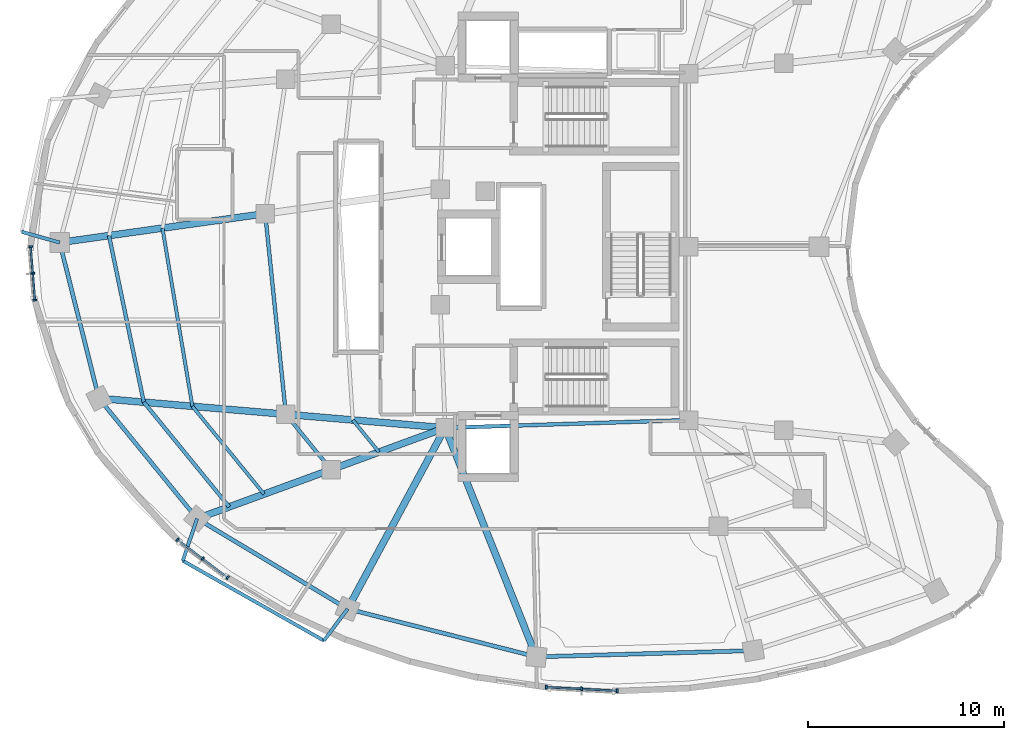
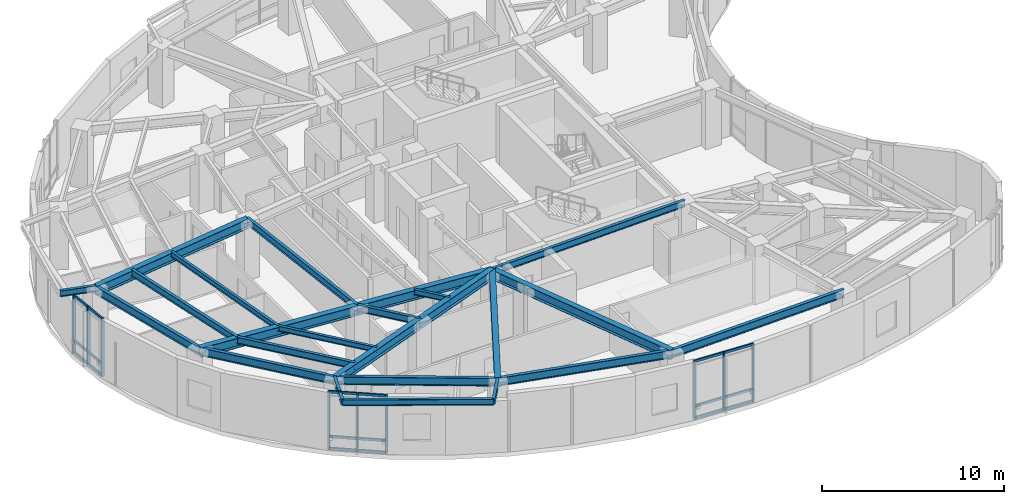
# One storey, part 2 of 15: 27 members, 24 beams, 3 elements without a shape of their own.
"""IFC4 building model written with IfcOpenShell, lengths in metres."""

from ifc_helpers import new_model, si_unit, direction, frame, origin, origin_2d, place, context, subcontext, project, spatial, rectangle, i_section, extrude, material, layer, layer_set, material_profile, profile_set, type_object, element, aggregate, save


model = new_model("IFC4")

# Units and contexts
model_context = context("Model", 3, precision=1e-05, world=origin(), true_north=direction((0.0, 1.0)))
body_context = subcontext(model_context, "Body", "Model", "MODEL_VIEW")
ifc_project = project(units=[si_unit("LENGTHUNIT", "METRE"), si_unit("AREAUNIT", "SQUARE_METRE"), si_unit("VOLUMEUNIT", "CUBIC_METRE"), si_unit("PLANEANGLEUNIT", "RADIAN"), si_unit("MASSUNIT", "GRAM", prefix="KILO")], contexts=[model_context])

# Site, building, storey
site_placement = place(None, origin())
site = spatial("IfcSite", under=ifc_project, at=site_placement, CompositionType="ELEMENT")
building_placement = place(site_placement, origin())
building = spatial("IfcBuilding", under=site, at=building_placement, Name="Korentha Bioscience Tower", CompositionType="ELEMENT")
storey_placement = place(building_placement, frame((0.0, 0.0, 218.39990234375)))
storey = spatial("IfcBuildingStorey", under=building, at=storey_placement, Name="L50", CompositionType="ELEMENT", Elevation=218.39990234375)

# Beams
ifc_material_1 = material(Name="Steel S355", Category="steel")
ifc_material_profile_1 = material_profile(ifc_material_1, i_section(OverallWidth=0.18994140625, OverallDepth=0.45703125, WebThickness=0.009033203125, FlangeThickness=0.014404296875, at=origin_2d()), Name="Steel S355")
ifc_profile_set_1 = profile_set([ifc_material_profile_1], Name="Steel S355 (MB-460)")
beam_type_1 = type_object("IfcBeamType", Name="Mid-Ring Tie Girder W460x74", PredefinedType="BEAM", material=ifc_profile_set_1)
beam_1_placement = place(storey_placement, frame((15.903076171875, 28.69482421875, 3.671630859375), z_axis=(0.102606546494, -0.994722019771, 0.0), x_axis=(0.994722019771, 0.102606546494, 0.0)))
element("IfcBeam", 1, at=beam_1_placement, inside=storey, type_object=beam_type_1, Name="L50 Mid-Ring Tie Girder 07", PredefinedType="BEAM", context=body_context, shape_type="SweptSolid", body=[
    extrude(i_section(OverallWidth=0.18994140625, OverallDepth=0.45703125, WebThickness=0.009033203125, FlangeThickness=0.014404296875, at=origin_2d()), origin(), (0.0, 0.0, 1.0), 10.30517578125),
])
beam_2_placement = place(storey_placement, frame((16.96044921875, 18.444091796875, 3.671630859375), z_axis=(0.632275728894, -0.774743443116, 0.0), x_axis=(0.774743443116, 0.632275728894, 0.0)))
element("IfcBeam", 2, at=beam_2_placement, inside=storey, type_object=beam_type_1, Name="L50 Mid-Ring Tie Girder 08", PredefinedType="BEAM", context=body_context, shape_type="SweptSolid", body=[
    extrude(i_section(OverallWidth=0.18994140625, OverallDepth=0.45703125, WebThickness=0.009033203125, FlangeThickness=0.014404296875, at=origin_2d()), origin(), (0.0, 0.0, 1.0), 3.650146484375),
])
beam_3_placement = place(storey_placement, frame((25.10009765625, 17.75, 3.671630859375), z_axis=(0.999484526071, 0.032104238723, 0.0), x_axis=(-0.032104238723, 0.999484526071, 0.0)))
element("IfcBeam", 3, at=beam_3_placement, inside=storey, type_object=beam_type_1, Name="L50 Core Ring Tie Girder 05", PredefinedType="BEAM", context=body_context, shape_type="SweptSolid", body=[
    extrude(i_section(OverallWidth=0.18994140625, OverallDepth=0.45703125, WebThickness=0.009033203125, FlangeThickness=0.014404296875, at=origin_2d()), origin(), (0.0, 0.0, 1.0), 12.456298828125),
])

# Curtain wall, members
ifc_material_2 = material(Name="Thermally Broken Aluminium Frame", Category="aluminium")
ifc_layer = layer(ifc_material_2, 0.219970703125, Name="Thermally Broken Aluminium Frame")
ifc_layer_set = layer_set([ifc_layer], Name="Thermally Broken Aluminium Frame (CW-T2)")
curtain_wall_type = type_object("IfcCurtainWallType", Name="Solar-Screened Lab Unitised Curtain Wall CW-T2", PredefinedType="USERDEFINED", material=ifc_layer_set)
curtain_wall_1_placement = place(storey_placement, origin())
curtain_wall_1 = element("IfcCurtainWall", 4, at=curtain_wall_1_placement, inside=storey, type_object=curtain_wall_type, Name="L50 Curtain Wall 19", ObjectType="UNITISED", PredefinedType="USERDEFINED")
ifc_material_3 = material(Name="Anodised Aluminium 6063-T6", Category="aluminium")
ifc_material_profile_2 = material_profile(ifc_material_3, rectangle(XDim=0.090087890625, YDim=0.199951171875, at=origin_2d()), Name="Anodised Aluminium 6063-T6")
ifc_profile_set_2 = profile_set([ifc_material_profile_2], Name="Anodised Aluminium 6063-T6 (CW-MUL)")
member_type_1 = type_object("IfcMemberType", Name="Mullion RECT 90x200", PredefinedType="MULLION", material=ifc_profile_set_2)
member_1_placement = place(storey_placement, frame((3.9169921875, 27.0078125, 0.0), z_axis=(0.0, 0.0, 1.0), x_axis=(0.07974803224, -0.996815053736, 0.0)))
member_1 = element("IfcMember", 5, at=member_1_placement, type_object=member_type_1, Name="CW-L50-19 Mullion 1", PredefinedType="MULLION", context=body_context, shape_type="SweptSolid", body=[
    extrude(rectangle(XDim=0.090087890625, YDim=0.199951171875, at=origin_2d()), origin(), (0.0, 0.0, 1.0), 3.900146484375),
])
member_2_placement = place(storey_placement, frame((4.026123046875, 25.642578125, 0.0), z_axis=(0.0, 0.0, 1.0), x_axis=(0.07974803224, -0.996815053736, 0.0)))
member_2 = element("IfcMember", 6, at=member_2_placement, type_object=member_type_1, Name="CW-L50-19 Mullion 2", PredefinedType="MULLION", context=body_context, shape_type="SweptSolid", body=[
    extrude(rectangle(XDim=0.090087890625, YDim=0.199951171875, at=origin_2d()), origin(), (0.0, 0.0, 1.0), 3.900146484375),
])
member_3_placement = place(storey_placement, frame((4.13525390625, 24.277587890625, 0.0), z_axis=(0.0, 0.0, 1.0), x_axis=(0.07974803224, -0.996815053736, 0.0)))
member_3 = element("IfcMember", 7, at=member_3_placement, type_object=member_type_1, Name="CW-L50-19 Mullion 3", PredefinedType="MULLION", context=body_context, shape_type="SweptSolid", body=[
    extrude(rectangle(XDim=0.090087890625, YDim=0.199951171875, at=origin_2d()), origin(), (0.0, 0.0, 1.0), 3.900146484375),
])

curtain_wall_2_placement = place(storey_placement, origin())
curtain_wall_2 = element("IfcCurtainWall", 8, at=curtain_wall_2_placement, inside=storey, type_object=curtain_wall_type, Name="L50 Curtain Wall 25", ObjectType="UNITISED", PredefinedType="USERDEFINED")
member_4_placement = place(storey_placement, frame((11.423095703125, 12.036865234375, 0.0), z_axis=(0.0, 0.0, 1.0), x_axis=(0.796889131105, -0.604125576951, 0.0)))
member_4 = element("IfcMember", 9, at=member_4_placement, type_object=member_type_1, Name="CW-L50-25 Mullion 1", PredefinedType="MULLION", context=body_context, shape_type="SweptSolid", body=[
    extrude(rectangle(XDim=0.090087890625, YDim=0.199951171875, at=origin_2d()), origin(), (0.0, 0.0, 1.0), 3.900146484375),
])
member_5_placement = place(storey_placement, frame((12.704345703125, 11.065673828125, 0.0), z_axis=(0.0, 0.0, 1.0), x_axis=(0.796889131105, -0.604125576951, 0.0)))
member_5 = element("IfcMember", 10, at=member_5_placement, type_object=member_type_1, Name="CW-L50-25 Mullion 2", PredefinedType="MULLION", context=body_context, shape_type="SweptSolid", body=[
    extrude(rectangle(XDim=0.090087890625, YDim=0.199951171875, at=origin_2d()), origin(), (0.0, 0.0, 1.0), 3.900146484375),
])
member_6_placement = place(storey_placement, frame((13.985595703125, 10.09423828125, 0.0), z_axis=(0.0, 0.0, 1.0), x_axis=(0.796889131105, -0.604125576951, 0.0)))
member_6 = element("IfcMember", 11, at=member_6_placement, type_object=member_type_1, Name="CW-L50-25 Mullion 3", PredefinedType="MULLION", context=body_context, shape_type="SweptSolid", body=[
    extrude(rectangle(XDim=0.090087890625, YDim=0.199951171875, at=origin_2d()), origin(), (0.0, 0.0, 1.0), 3.900146484375),
])

curtain_wall_3_placement = place(storey_placement, origin())
curtain_wall_3 = element("IfcCurtainWall", 12, at=curtain_wall_3_placement, inside=storey, type_object=curtain_wall_type, Name="L50 Curtain Wall 31", ObjectType="UNITISED", PredefinedType="USERDEFINED")
member_7_placement = place(storey_placement, frame((30.262939453125, 4.501708984375, 0.0), z_axis=(0.0, 0.0, 1.0), x_axis=(0.998695818107, -0.051055488397, 0.0)))
member_7 = element("IfcMember", 13, at=member_7_placement, type_object=member_type_1, Name="CW-L50-31 Mullion 1", PredefinedType="MULLION", context=body_context, shape_type="SweptSolid", body=[
    extrude(rectangle(XDim=0.090087890625, YDim=0.199951171875, at=origin_2d()), origin(), (0.0, 0.0, 1.0), 3.900146484375),
])
member_8_placement = place(storey_placement, frame((32.078125, 4.40869140625, 0.0), z_axis=(0.0, 0.0, 1.0), x_axis=(0.998695818107, -0.051055488397, 0.0)))
member_8 = element("IfcMember", 14, at=member_8_placement, type_object=member_type_1, Name="CW-L50-31 Mullion 2", PredefinedType="MULLION", context=body_context, shape_type="SweptSolid", body=[
    extrude(rectangle(XDim=0.090087890625, YDim=0.199951171875, at=origin_2d()), origin(), (0.0, 0.0, 1.0), 3.900146484375),
])
member_9_placement = place(storey_placement, frame((33.8935546875, 4.31591796875, 0.0), z_axis=(0.0, 0.0, 1.0), x_axis=(0.998695818107, -0.051055488397, 0.0)))
member_9 = element("IfcMember", 15, at=member_9_placement, type_object=member_type_1, Name="CW-L50-31 Mullion 3", PredefinedType="MULLION", context=body_context, shape_type="SweptSolid", body=[
    extrude(rectangle(XDim=0.090087890625, YDim=0.199951171875, at=origin_2d()), origin(), (0.0, 0.0, 1.0), 3.900146484375),
])

# Beams
ifc_material_profile_3 = material_profile(ifc_material_1, i_section(OverallWidth=0.208984375, OverallDepth=0.532958984375, WebThickness=0.01025390625, FlangeThickness=0.015625, at=origin_2d()), Name="Steel S355")
ifc_profile_set_3 = profile_set([ifc_material_profile_3], Name="Steel S355 (SB-530)")
beam_type_2 = type_object("IfcBeamType", Name="Perimeter Ring Spandrel Girder W530x92", PredefinedType="SPANDREL", material=ifc_profile_set_3)
beam_4_placement = place(storey_placement, frame((5.39990234375, 27.2216796875, 3.633544921875), z_axis=(0.244207174084, -0.969723082187, 0.0), x_axis=(0.969723082187, 0.244207174084, 0.0)))
element("IfcBeam", 16, at=beam_4_placement, inside=storey, type_object=beam_type_2, Name="L50 Perimeter Spandrel Girder 07", PredefinedType="SPANDREL", context=body_context, shape_type="SweptSolid", body=[
    extrude(i_section(OverallWidth=0.208984375, OverallDepth=0.532958984375, WebThickness=0.01025390625, FlangeThickness=0.015625, at=origin_2d()), origin(), (0.0, 0.0, 1.0), 8.211669921875),
])
beam_5_placement = place(storey_placement, frame((7.4052734375, 19.258544921875, 3.633544921875), z_axis=(0.632315820697, -0.774710722074, 0.0), x_axis=(0.774710722074, 0.632315820697, 0.0)))
element("IfcBeam", 17, at=beam_5_placement, inside=storey, type_object=beam_type_2, Name="L50 Perimeter Spandrel Girder 08", PredefinedType="SPANDREL", context=body_context, shape_type="SweptSolid", body=[
    extrude(i_section(OverallWidth=0.208984375, OverallDepth=0.532958984375, WebThickness=0.01025390625, FlangeThickness=0.015625, at=origin_2d()), origin(), (0.0, 0.0, 1.0), 7.934814453125),
])
beam_6_placement = place(storey_placement, frame((12.422607421875, 13.111328125, 3.633544921875), z_axis=(0.857644232791, -0.514243492872, 0.0), x_axis=(0.514243492872, 0.857644232791, 0.0)))
element("IfcBeam", 18, at=beam_6_placement, inside=storey, type_object=beam_type_2, Name="L50 Perimeter Spandrel Girder 09", PredefinedType="SPANDREL", context=body_context, shape_type="SweptSolid", body=[
    extrude(i_section(OverallWidth=0.208984375, OverallDepth=0.532958984375, WebThickness=0.01025390625, FlangeThickness=0.015625, at=origin_2d()), origin(), (0.0, 0.0, 1.0), 8.96728515625),
])
beam_7_placement = place(storey_placement, frame((20.11328125, 8.5, 3.633544921875), z_axis=(0.969197317616, -0.246285524395, 0.0), x_axis=(0.246285524395, 0.969197317616, 0.0)))
element("IfcBeam", 19, at=beam_7_placement, inside=storey, type_object=beam_type_2, Name="L50 Perimeter Spandrel Girder 10", PredefinedType="SPANDREL", context=body_context, shape_type="SweptSolid", body=[
    extrude(i_section(OverallWidth=0.208984375, OverallDepth=0.532958984375, WebThickness=0.01025390625, FlangeThickness=0.015625, at=origin_2d()), origin(), (0.0, 0.0, 1.0), 9.95263671875),
])
beam_8_placement = place(storey_placement, frame((29.75927734375, 6.048828125, 3.633544921875), z_axis=(0.999586140554, 0.028767127286, 0.0), x_axis=(-0.028767127286, 0.999586140554, 0.0)))
element("IfcBeam", 20, at=beam_8_placement, inside=storey, type_object=beam_type_2, Name="L50 Perimeter Spandrel Girder 11", PredefinedType="SPANDREL", context=body_context, shape_type="SweptSolid", body=[
    extrude(i_section(OverallWidth=0.208984375, OverallDepth=0.532958984375, WebThickness=0.01025390625, FlangeThickness=0.015625, at=origin_2d()), origin(), (0.0, 0.0, 1.0), 11.09228515625),
])
ifc_material_profile_4 = material_profile(ifc_material_1, i_section(OverallWidth=0.18994140625, OverallDepth=0.45703125, WebThickness=0.009033203125, FlangeThickness=0.014404296875, at=origin_2d()), Name="Steel S355")
ifc_profile_set_4 = profile_set([ifc_material_profile_4], Name="Steel S355 (RB-460)")
beam_type_3 = type_object("IfcBeamType", Name="Radial Laboratory Beam W460x74", PredefinedType="BEAM", material=ifc_profile_set_4)
beam_9_placement = place(storey_placement, frame((7.920654296875, 27.5751953125, 3.671630859375), z_axis=(0.204445291573, -0.978877991761, 0.0), x_axis=(0.978877991761, 0.204445291573, 0.0)))
element("IfcBeam", 21, at=beam_9_placement, inside=storey, type_object=beam_type_3, Name="L50 Secondary Floor Beam JSTO-07", PredefinedType="BEAM", context=body_context, shape_type="SweptSolid", body=[
    extrude(i_section(OverallWidth=0.18994140625, OverallDepth=0.45703125, WebThickness=0.009033203125, FlangeThickness=0.014404296875, at=origin_2d()), origin(), (0.0, 0.0, 1.0), 8.69580078125),
])
beam_10_placement = place(storey_placement, frame((9.698486328125, 19.06298828125, 3.671630859375), z_axis=(0.632321075077, -0.77470643344, 0.0), x_axis=(0.77470643344, 0.632321075077, 0.0)))
element("IfcBeam", 22, at=beam_10_placement, inside=storey, type_object=beam_type_3, Name="L50 Secondary Floor Beam JSTO-08", PredefinedType="BEAM", context=body_context, shape_type="SweptSolid", body=[
    extrude(i_section(OverallWidth=0.18994140625, OverallDepth=0.45703125, WebThickness=0.009033203125, FlangeThickness=0.014404296875, at=origin_2d()), origin(), (0.0, 0.0, 1.0), 6.906494140625),
])
ifc_material_profile_5 = material_profile(ifc_material_1, i_section(OverallWidth=0.35009765625, OverallDepth=0.64990234375, WebThickness=0.01611328125, FlangeThickness=0.02490234375, at=origin_2d()), Name="Steel S355")
ifc_profile_set_5 = profile_set([ifc_material_profile_5], Name="Steel S355 (RB-650)")
beam_type_4 = type_object("IfcBeamType", Name="Radial Laboratory Girder CVS 650x208", PredefinedType="BEAM", material=ifc_profile_set_5)
beam_11_placement = place(storey_placement, frame((15.903076171875, 28.69482421875, 3.5751953125), z_axis=(-0.990306757518, -0.138897537827, 0.0), x_axis=(0.138897537827, -0.990306757518, 0.0)))
element("IfcBeam", 23, at=beam_11_placement, inside=storey, type_object=beam_type_4, Name="L50 Outer Radial Girder 07", PredefinedType="BEAM", context=body_context, shape_type="SweptSolid", body=[
    extrude(i_section(OverallWidth=0.35009765625, OverallDepth=0.64990234375, WebThickness=0.01611328125, FlangeThickness=0.02490234375, at=origin_2d()), origin(), (0.0, 0.0, 1.0), 10.60595703125),
])
beam_12_placement = place(storey_placement, frame((25.10009765625, 17.75, 3.5751953125), z_axis=(-0.996383970884, 0.084964595957, 0.0), x_axis=(-0.084964595957, -0.996383970884, 0.0)))
element("IfcBeam", 24, at=beam_12_placement, inside=storey, type_object=beam_type_4, Name="L50 Inner Radial Girder 08", PredefinedType="BEAM", context=body_context, shape_type="SweptSolid", body=[
    extrude(i_section(OverallWidth=0.35009765625, OverallDepth=0.64990234375, WebThickness=0.01611328125, FlangeThickness=0.02490234375, at=origin_2d()), origin(), (0.0, 0.0, 1.0), 8.169189453125),
])
beam_13_placement = place(storey_placement, frame((16.96044921875, 18.444091796875, 3.5751953125), z_axis=(-0.996387014591, 0.084928894698, 0.0), x_axis=(-0.084928894698, -0.996387014591, 0.0)))
element("IfcBeam", 25, at=beam_13_placement, inside=storey, type_object=beam_type_4, Name="L50 Outer Radial Girder 08", PredefinedType="BEAM", context=body_context, shape_type="SweptSolid", body=[
    extrude(i_section(OverallWidth=0.35009765625, OverallDepth=0.64990234375, WebThickness=0.01611328125, FlangeThickness=0.02490234375, at=origin_2d()), origin(), (0.0, 0.0, 1.0), 9.58984375),
])
beam_14_placement = place(storey_placement, frame((25.10009765625, 17.75, 3.5751953125), z_axis=(-0.939112022558, -0.343611130622, 0.0), x_axis=(0.343611130622, -0.939112022558, 0.0)))
element("IfcBeam", 26, at=beam_14_placement, inside=storey, type_object=beam_type_4, Name="L50 Inner Radial Girder 09", PredefinedType="BEAM", context=body_context, shape_type="SweptSolid", body=[
    extrude(i_section(OverallWidth=0.35009765625, OverallDepth=0.64990234375, WebThickness=0.01611328125, FlangeThickness=0.02490234375, at=origin_2d()), origin(), (0.0, 0.0, 1.0), 6.2099609375),
])
beam_15_placement = place(storey_placement, frame((19.268310546875, 15.6162109375, 3.5751953125), z_axis=(-0.939107036581, -0.343624757322, 0.0), x_axis=(0.343624757322, -0.939107036581, 0.0)))
element("IfcBeam", 27, at=beam_15_placement, inside=storey, type_object=beam_type_4, Name="L50 Outer Radial Girder 09", PredefinedType="BEAM", context=body_context, shape_type="SweptSolid", body=[
    extrude(i_section(OverallWidth=0.35009765625, OverallDepth=0.64990234375, WebThickness=0.01611328125, FlangeThickness=0.02490234375, at=origin_2d()), origin(), (0.0, 0.0, 1.0), 7.28955078125),
])
beam_16_placement = place(storey_placement, frame((25.10009765625, 17.75, 3.5751953125), z_axis=(-0.474545867703, -0.880230776243, 0.0), x_axis=(0.880230776243, -0.474545867703, 0.0)))
element("IfcBeam", 28, at=beam_16_placement, inside=storey, type_object=beam_type_4, Name="L50 Radial Girder 10", PredefinedType="BEAM", context=body_context, shape_type="SweptSolid", body=[
    extrude(i_section(OverallWidth=0.35009765625, OverallDepth=0.64990234375, WebThickness=0.01611328125, FlangeThickness=0.02490234375, at=origin_2d()), origin(), (0.0, 0.0, 1.0), 10.508544921875),
])
beam_17_placement = place(storey_placement, frame((25.10009765625, 17.75, 3.5751953125), z_axis=(0.369933042289, -0.929058418089, 0.0), x_axis=(0.929058418089, 0.369933042289, 0.0)))
element("IfcBeam", 29, at=beam_17_placement, inside=storey, type_object=beam_type_4, Name="L50 Radial Girder 11", PredefinedType="BEAM", context=body_context, shape_type="SweptSolid", body=[
    extrude(i_section(OverallWidth=0.35009765625, OverallDepth=0.64990234375, WebThickness=0.01611328125, FlangeThickness=0.02490234375, at=origin_2d()), origin(), (0.0, 0.0, 1.0), 12.5947265625),
])
ifc_material_profile_6 = material_profile(ifc_material_1, i_section(OverallWidth=0.1708984375, OverallDepth=0.35498046875, WebThickness=0.007080078125, FlangeThickness=0.01171875, at=origin_2d()), Name="Steel S355")
ifc_profile_set_6 = profile_set([ifc_material_profile_6], Name="Steel S355 (JB-360)")
beam_type_5 = type_object("IfcBeamType", Name="Secondary Laboratory Joist W360x51", PredefinedType="JOIST", material=ifc_profile_set_6)
beam_18_placement = place(storey_placement, frame((10.651611328125, 27.958251953125, 3.72265625), z_axis=(0.165813560916, -0.986157118829, 0.0), x_axis=(0.986157118829, 0.165813560916, 0.0)))
element("IfcBeam", 30, at=beam_18_placement, inside=storey, type_object=beam_type_5, Name="L50 Secondary Floor Beam JST-07", PredefinedType="JOIST", context=body_context, shape_type="SweptSolid", body=[
    extrude(i_section(OverallWidth=0.1708984375, OverallDepth=0.35498046875, WebThickness=0.007080078125, FlangeThickness=0.01171875, at=origin_2d()), origin(), (0.0, 0.0, 1.0), 9.23486328125),
])
beam_19_placement = place(storey_placement, frame((12.182861328125, 18.851318359375, 3.72265625), z_axis=(0.632303189088, -0.774721031771, 0.0), x_axis=(0.774721031771, 0.632303189088, 0.0)))
element("IfcBeam", 31, at=beam_19_placement, inside=storey, type_object=beam_type_5, Name="L50 Secondary Floor Beam JST-08", PredefinedType="JOIST", context=body_context, shape_type="SweptSolid", body=[
    extrude(i_section(OverallWidth=0.1708984375, OverallDepth=0.35498046875, WebThickness=0.007080078125, FlangeThickness=0.01171875, at=origin_2d()), origin(), (0.0, 0.0, 1.0), 5.79248046875),
])
beam_20_placement = place(storey_placement, frame((20.37890625, 18.152587890625, 3.72265625), z_axis=(0.632370841021, -0.774665811448, 0.0), x_axis=(0.774665811448, 0.632370841021, 0.0)))
element("IfcBeam", 32, at=beam_20_placement, inside=storey, type_object=beam_type_5, Name="L50 Inner Bay Joist 08", PredefinedType="JOIST", context=body_context, shape_type="SweptSolid", body=[
    extrude(i_section(OverallWidth=0.1708984375, OverallDepth=0.35498046875, WebThickness=0.007080078125, FlangeThickness=0.01171875, at=origin_2d()), origin(), (0.0, 0.0, 1.0), 2.1171875),
])
ifc_material_profile_7 = material_profile(ifc_material_1, i_section(OverallWidth=0.177978515625, OverallDepth=0.406982421875, WebThickness=0.0078125, FlangeThickness=0.0126953125, at=origin_2d()), Name="Steel S355")
ifc_profile_set_7 = profile_set([ifc_material_profile_7], Name="Steel S355 (CB-410)")
beam_type_6 = type_object("IfcBeamType", Name="Sun-Ledge Cantilever Beam W410x60", PredefinedType="BEAM", material=ifc_profile_set_7)
beam_21_placement = place(storey_placement, frame((5.39990234375, 27.2216796875, 3.698486328125), z_axis=(-0.962251522828, 0.272161729154, 0.0), x_axis=(-0.272161729154, -0.962251522828, 0.0)))
element("IfcBeam", 33, at=beam_21_placement, inside=storey, type_object=beam_type_6, Name="L50 Balcony Cantilever Bracket B-L51-02", PredefinedType="BEAM", context=body_context, shape_type="SweptSolid", body=[
    extrude(i_section(OverallWidth=0.177978515625, OverallDepth=0.406982421875, WebThickness=0.0078125, FlangeThickness=0.0126953125, at=origin_2d()), origin(), (0.0, 0.0, 1.0), 2.0166015625),
])
beam_22_placement = place(storey_placement, frame((12.422607421875, 13.111328125, 3.698486328125), z_axis=(-0.322739639848, -0.946487783794, 0.0), x_axis=(0.946487783794, -0.322739639848, 0.0)))
element("IfcBeam", 34, at=beam_22_placement, inside=storey, type_object=beam_type_6, Name="L50 Balcony Cantilever Bracket A-L51-03", PredefinedType="BEAM", context=body_context, shape_type="SweptSolid", body=[
    extrude(i_section(OverallWidth=0.177978515625, OverallDepth=0.406982421875, WebThickness=0.0078125, FlangeThickness=0.0126953125, at=origin_2d()), origin(), (0.0, 0.0, 1.0), 2.269287109375),
])
beam_23_placement = place(storey_placement, frame((20.11328125, 8.5, 3.698486328125), z_axis=(-0.596850111075, -0.802352755906, 0.0), x_axis=(0.802352755906, -0.596850111075, 0.0)))
element("IfcBeam", 35, at=beam_23_placement, inside=storey, type_object=beam_type_6, Name="L50 Balcony Cantilever Bracket B-L51-03", PredefinedType="BEAM", context=body_context, shape_type="SweptSolid", body=[
    extrude(i_section(OverallWidth=0.177978515625, OverallDepth=0.406982421875, WebThickness=0.0078125, FlangeThickness=0.0126953125, at=origin_2d()), origin(), (0.0, 0.0, 1.0), 2.0244140625),
])
beam_24_placement = place(storey_placement, frame((11.690185546875, 10.96337890625, 3.698486328125), z_axis=(0.870061752324, -0.492942742256, 0.0), x_axis=(0.492942742256, 0.870061752324, 0.0)))
element("IfcBeam", 36, at=beam_24_placement, inside=storey, type_object=beam_type_6, Name="L50 Balcony Edge Trimmer Beam L51-03", PredefinedType="BEAM", context=body_context, shape_type="SweptSolid", body=[
    extrude(i_section(OverallWidth=0.177978515625, OverallDepth=0.406982421875, WebThickness=0.0078125, FlangeThickness=0.0126953125, at=origin_2d()), origin(), (0.0, 0.0, 1.0), 8.292236328125),
])

# Member
ifc_material_profile_8 = material_profile(ifc_material_3, rectangle(XDim=0.090087890625, YDim=0.159912109375, at=origin_2d()), Name="Anodised Aluminium 6063-T6")
ifc_profile_set_8 = profile_set([ifc_material_profile_8], Name="Anodised Aluminium 6063-T6 (CW-TRN)")
member_type_2 = type_object("IfcMemberType", Name="Transom RECT 90x160", PredefinedType="USERDEFINED", material=ifc_profile_set_8)
member_10_placement = place(storey_placement, frame((3.92041015625, 26.962890625, 0.045166015625), z_axis=(0.079760390344, -0.996814064975, 0.0), x_axis=(0.996814064975, 0.079760390344, 0.0)))
member_10 = element("IfcMember", 37, at=member_10_placement, type_object=member_type_2, Name="CW-L50-19 Bay 1 Transom 1", ObjectType="TRANSOM", PredefinedType="USERDEFINED", context=body_context, shape_type="SweptSolid", body=[
    extrude(rectangle(XDim=0.090087890625, YDim=0.159912109375, at=origin_2d()), origin(), (0.0, 0.0, 1.0), 1.279541015625),
])

member_11_placement = place(storey_placement, frame((3.92041015625, 26.962890625, 0.85009765625), z_axis=(0.079760390344, -0.996814064975, 0.0), x_axis=(0.996814064975, 0.079760390344, 0.0)))
member_11 = element("IfcMember", 38, at=member_11_placement, type_object=member_type_2, Name="CW-L50-19 Bay 1 Transom 2", ObjectType="TRANSOM", PredefinedType="USERDEFINED", context=body_context, shape_type="SweptSolid", body=[
    extrude(rectangle(XDim=0.090087890625, YDim=0.159912109375, at=origin_2d()), origin(), (0.0, 0.0, 1.0), 1.279541015625),
])

member_12_placement = place(storey_placement, frame((3.92041015625, 26.962890625, 3.85498046875), z_axis=(0.079760390344, -0.996814064975, 0.0), x_axis=(0.996814064975, 0.079760390344, 0.0)))
member_12 = element("IfcMember", 39, at=member_12_placement, type_object=member_type_2, Name="CW-L50-19 Bay 1 Transom 3", ObjectType="TRANSOM", PredefinedType="USERDEFINED", context=body_context, shape_type="SweptSolid", body=[
    extrude(rectangle(XDim=0.090087890625, YDim=0.159912109375, at=origin_2d()), origin(), (0.0, 0.0, 1.0), 1.279541015625),
])

member_13_placement = place(storey_placement, frame((4.02978515625, 25.597900390625, 0.045166015625), z_axis=(0.079570785596, -0.996829218111, 0.0), x_axis=(0.996829218111, 0.079570785596, 0.0)))
member_13 = element("IfcMember", 40, at=member_13_placement, type_object=member_type_2, Name="CW-L50-19 Bay 2 Transom 1", ObjectType="TRANSOM", PredefinedType="USERDEFINED", context=body_context, shape_type="SweptSolid", body=[
    extrude(rectangle(XDim=0.090087890625, YDim=0.159912109375, at=origin_2d()), origin(), (0.0, 0.0, 1.0), 1.279541015625),
])

member_14_placement = place(storey_placement, frame((4.02978515625, 25.597900390625, 0.85009765625), z_axis=(0.079570785596, -0.996829218111, 0.0), x_axis=(0.996829218111, 0.079570785596, 0.0)))
member_14 = element("IfcMember", 41, at=member_14_placement, type_object=member_type_2, Name="CW-L50-19 Bay 2 Transom 2", ObjectType="TRANSOM", PredefinedType="USERDEFINED", context=body_context, shape_type="SweptSolid", body=[
    extrude(rectangle(XDim=0.090087890625, YDim=0.159912109375, at=origin_2d()), origin(), (0.0, 0.0, 1.0), 1.279541015625),
])

member_15_placement = place(storey_placement, frame((4.02978515625, 25.597900390625, 3.85498046875), z_axis=(0.079570785596, -0.996829218111, 0.0), x_axis=(0.996829218111, 0.079570785596, 0.0)))
member_15 = element("IfcMember", 42, at=member_15_placement, type_object=member_type_2, Name="CW-L50-19 Bay 2 Transom 3", ObjectType="TRANSOM", PredefinedType="USERDEFINED", context=body_context, shape_type="SweptSolid", body=[
    extrude(rectangle(XDim=0.090087890625, YDim=0.159912109375, at=origin_2d()), origin(), (0.0, 0.0, 1.0), 1.279541015625),
])

aggregate(curtain_wall_1, [member_1, member_2, member_3, member_10, member_11, member_12, member_13, member_14, member_15])

member_16_placement = place(storey_placement, frame((11.458984375, 12.009765625, 0.045166015625), z_axis=(0.796862167345, -0.604161142622, 0.0), x_axis=(0.604161142622, 0.796862167345, 0.0)))
member_16 = element("IfcMember", 43, at=member_16_placement, type_object=member_type_2, Name="CW-L50-25 Bay 1 Transom 1", ObjectType="TRANSOM", PredefinedType="USERDEFINED", context=body_context, shape_type="SweptSolid", body=[
    extrude(rectangle(XDim=0.090087890625, YDim=0.159912109375, at=origin_2d()), origin(), (0.0, 0.0, 1.0), 1.517822265625),
])

member_17_placement = place(storey_placement, frame((11.458984375, 12.009765625, 0.85009765625), z_axis=(0.796862167345, -0.604161142622, 0.0), x_axis=(0.604161142622, 0.796862167345, 0.0)))
member_17 = element("IfcMember", 44, at=member_17_placement, type_object=member_type_2, Name="CW-L50-25 Bay 1 Transom 2", ObjectType="TRANSOM", PredefinedType="USERDEFINED", context=body_context, shape_type="SweptSolid", body=[
    extrude(rectangle(XDim=0.090087890625, YDim=0.159912109375, at=origin_2d()), origin(), (0.0, 0.0, 1.0), 1.517822265625),
])

member_18_placement = place(storey_placement, frame((11.458984375, 12.009765625, 3.85498046875), z_axis=(0.796862167345, -0.604161142622, 0.0), x_axis=(0.604161142622, 0.796862167345, 0.0)))
member_18 = element("IfcMember", 45, at=member_18_placement, type_object=member_type_2, Name="CW-L50-25 Bay 1 Transom 3", ObjectType="TRANSOM", PredefinedType="USERDEFINED", context=body_context, shape_type="SweptSolid", body=[
    extrude(rectangle(XDim=0.090087890625, YDim=0.159912109375, at=origin_2d()), origin(), (0.0, 0.0, 1.0), 1.517822265625),
])

member_19_placement = place(storey_placement, frame((12.740234375, 11.038330078125, 0.045166015625), z_axis=(0.796939607942, -0.604058988256, 0.0), x_axis=(0.604058988256, 0.796939607942, 0.0)))
member_19 = element("IfcMember", 46, at=member_19_placement, type_object=member_type_2, Name="CW-L50-25 Bay 2 Transom 1", ObjectType="TRANSOM", PredefinedType="USERDEFINED", context=body_context, shape_type="SweptSolid", body=[
    extrude(rectangle(XDim=0.090087890625, YDim=0.159912109375, at=origin_2d()), origin(), (0.0, 0.0, 1.0), 1.517578125),
])

member_20_placement = place(storey_placement, frame((12.740234375, 11.038330078125, 0.85009765625), z_axis=(0.796939607942, -0.604058988256, 0.0), x_axis=(0.604058988256, 0.796939607942, 0.0)))
member_20 = element("IfcMember", 47, at=member_20_placement, type_object=member_type_2, Name="CW-L50-25 Bay 2 Transom 2", ObjectType="TRANSOM", PredefinedType="USERDEFINED", context=body_context, shape_type="SweptSolid", body=[
    extrude(rectangle(XDim=0.090087890625, YDim=0.159912109375, at=origin_2d()), origin(), (0.0, 0.0, 1.0), 1.517578125),
])

member_21_placement = place(storey_placement, frame((12.740234375, 11.038330078125, 3.85498046875), z_axis=(0.796939607942, -0.604058988256, 0.0), x_axis=(0.604058988256, 0.796939607942, 0.0)))
member_21 = element("IfcMember", 48, at=member_21_placement, type_object=member_type_2, Name="CW-L50-25 Bay 2 Transom 3", ObjectType="TRANSOM", PredefinedType="USERDEFINED", context=body_context, shape_type="SweptSolid", body=[
    extrude(rectangle(XDim=0.090087890625, YDim=0.159912109375, at=origin_2d()), origin(), (0.0, 0.0, 1.0), 1.517578125),
])

aggregate(curtain_wall_2, [member_4, member_5, member_6, member_16, member_17, member_18, member_19, member_20, member_21])

member_22_placement = place(storey_placement, frame((30.307861328125, 4.499267578125, 0.045166015625), z_axis=(0.998697837161, -0.051015978381, 0.0), x_axis=(0.051015978381, 0.998697837161, 0.0)))
member_22 = element("IfcMember", 49, at=member_22_placement, type_object=member_type_2, Name="CW-L50-31 Bay 1 Transom 1", ObjectType="TRANSOM", PredefinedType="USERDEFINED", context=body_context, shape_type="SweptSolid", body=[
    extrude(rectangle(XDim=0.090087890625, YDim=0.159912109375, at=origin_2d()), origin(), (0.0, 0.0, 1.0), 1.7275390625),
])

member_23_placement = place(storey_placement, frame((30.307861328125, 4.499267578125, 0.85009765625), z_axis=(0.998697837161, -0.051015978381, 0.0), x_axis=(0.051015978381, 0.998697837161, 0.0)))
member_23 = element("IfcMember", 50, at=member_23_placement, type_object=member_type_2, Name="CW-L50-31 Bay 1 Transom 2", ObjectType="TRANSOM", PredefinedType="USERDEFINED", context=body_context, shape_type="SweptSolid", body=[
    extrude(rectangle(XDim=0.090087890625, YDim=0.159912109375, at=origin_2d()), origin(), (0.0, 0.0, 1.0), 1.7275390625),
])

member_24_placement = place(storey_placement, frame((30.307861328125, 4.499267578125, 3.85498046875), z_axis=(0.998697837161, -0.051015978381, 0.0), x_axis=(0.051015978381, 0.998697837161, 0.0)))
member_24 = element("IfcMember", 51, at=member_24_placement, type_object=member_type_2, Name="CW-L50-31 Bay 1 Transom 3", ObjectType="TRANSOM", PredefinedType="USERDEFINED", context=body_context, shape_type="SweptSolid", body=[
    extrude(rectangle(XDim=0.090087890625, YDim=0.159912109375, at=origin_2d()), origin(), (0.0, 0.0, 1.0), 1.7275390625),
])

member_25_placement = place(storey_placement, frame((32.123291015625, 4.406494140625, 0.045166015625), z_axis=(0.998697837161, -0.051015978381, 0.0), x_axis=(0.051015978381, 0.998697837161, 0.0)))
member_25 = element("IfcMember", 52, at=member_25_placement, type_object=member_type_2, Name="CW-L50-31 Bay 2 Transom 1", ObjectType="TRANSOM", PredefinedType="USERDEFINED", context=body_context, shape_type="SweptSolid", body=[
    extrude(rectangle(XDim=0.090087890625, YDim=0.159912109375, at=origin_2d()), origin(), (0.0, 0.0, 1.0), 1.7275390625),
])

member_26_placement = place(storey_placement, frame((32.123291015625, 4.406494140625, 0.85009765625), z_axis=(0.998697837161, -0.051015978381, 0.0), x_axis=(0.051015978381, 0.998697837161, 0.0)))
member_26 = element("IfcMember", 53, at=member_26_placement, type_object=member_type_2, Name="CW-L50-31 Bay 2 Transom 2", ObjectType="TRANSOM", PredefinedType="USERDEFINED", context=body_context, shape_type="SweptSolid", body=[
    extrude(rectangle(XDim=0.090087890625, YDim=0.159912109375, at=origin_2d()), origin(), (0.0, 0.0, 1.0), 1.7275390625),
])

member_27_placement = place(storey_placement, frame((32.123291015625, 4.406494140625, 3.85498046875), z_axis=(0.998697837161, -0.051015978381, 0.0), x_axis=(0.051015978381, 0.998697837161, 0.0)))
member_27 = element("IfcMember", 54, at=member_27_placement, type_object=member_type_2, Name="CW-L50-31 Bay 2 Transom 3", ObjectType="TRANSOM", PredefinedType="USERDEFINED", context=body_context, shape_type="SweptSolid", body=[
    extrude(rectangle(XDim=0.090087890625, YDim=0.159912109375, at=origin_2d()), origin(), (0.0, 0.0, 1.0), 1.7275390625),
])

aggregate(curtain_wall_3, [member_7, member_8, member_9, member_22, member_23, member_24, member_25, member_26, member_27])

save(model, "model.ifc")
